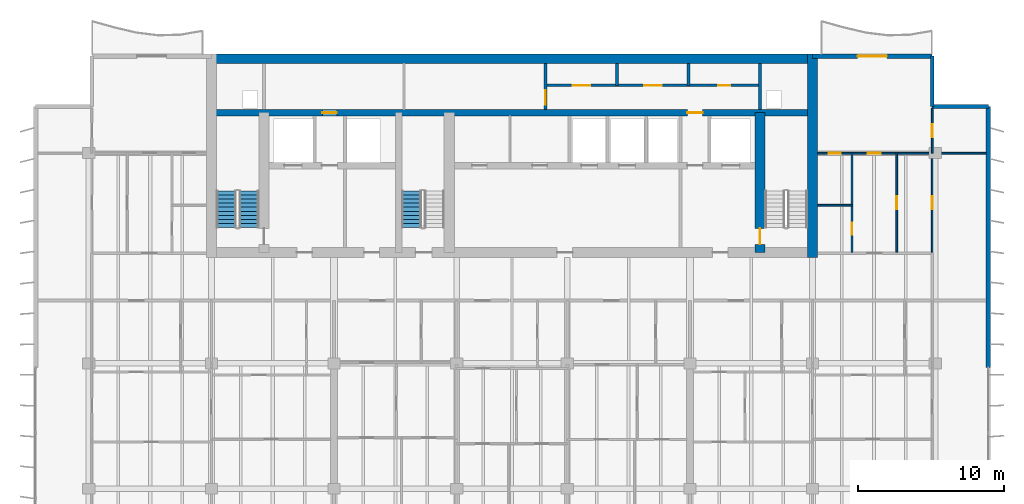
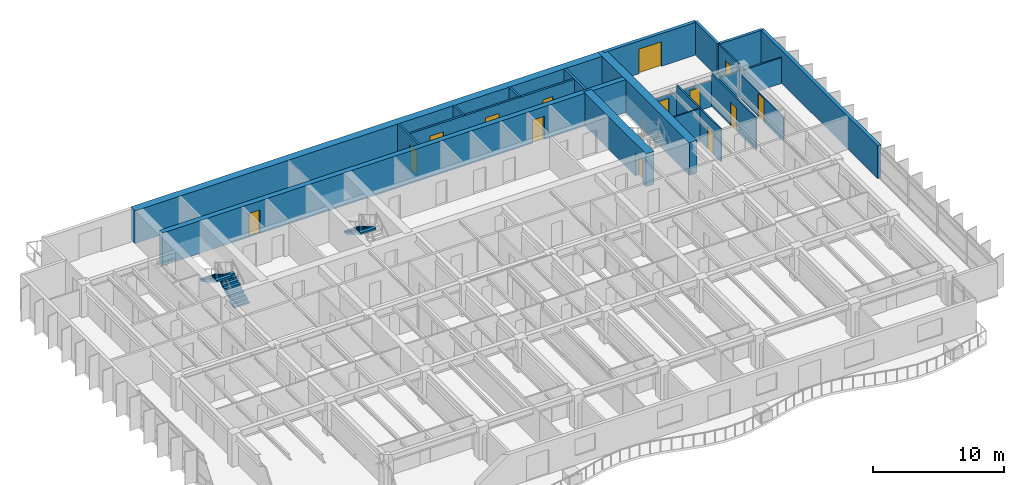
# One storey, part 14 of 19: 19 walls, 14 doors, 3 stair flights, 14 openings, 2 elements without a shape of their own.
"""IFC4 building model written with IfcOpenShell, lengths in metres."""

from ifc_helpers import new_model, si_unit, direction, frame, frame_2d, origin, place, context, subcontext, project, spatial, polyline, rectangle, outline, extrude, material, layer, layer_set, type_object, element, fill, aggregate, save


model = new_model("IFC4")

# Units and contexts
model_context = context("Model", 3, precision=1e-05, world=origin(), true_north=direction((0.0, 1.0)))
body_context = subcontext(model_context, "Body", "Model", "MODEL_VIEW")
ifc_project = project(units=[si_unit("LENGTHUNIT", "METRE"), si_unit("AREAUNIT", "SQUARE_METRE"), si_unit("VOLUMEUNIT", "CUBIC_METRE"), si_unit("PLANEANGLEUNIT", "RADIAN"), si_unit("MASSUNIT", "GRAM", prefix="KILO")], contexts=[model_context])

# Site, building, storey
site_placement = place(None, origin())
site = spatial("IfcSite", under=ifc_project, at=site_placement, CompositionType="ELEMENT")
building_placement = place(site_placement, origin())
building = spatial("IfcBuilding", under=site, at=building_placement, Name="Caelmar Bay Residences", CompositionType="ELEMENT")
storey_placement = place(building_placement, frame((0.0, 0.0, 163.800048828125)))
storey = spatial("IfcBuildingStorey", under=building, at=storey_placement, Name="L45", CompositionType="ELEMENT", Elevation=163.800048828125)

# Wall
ifc_material_1 = material(Name="Concrete f'c 55 MPa (8,000 psi)", Category="concrete")
ifc_layer_1 = layer(ifc_material_1, 0.699951171875)
ifc_layer_set_1 = layer_set([ifc_layer_1], Name="Concrete f'c 55 MPa (8,000 psi)")
wall_type_1 = type_object("IfcWallType", Name="SW-COR-700", PredefinedType="SHEAR", material=ifc_layer_set_1)
wall_1_placement = place(storey_placement, frame((59.5, 36.64990234375, 0.0), z_axis=(0.0, 0.0, 1.0), x_axis=(0.0, 1.0, 0.0)))
element("IfcWall", 1, at=wall_1_placement, inside=storey, type_object=wall_type_1, Name="L45 Rear Core East Shear Wall", PredefinedType="SHEAR", context=body_context, shape_type="SweptSolid", body=[
    extrude(rectangle(XDim=13.9501953125, YDim=0.699951171875, at=frame_2d((6.97509765625, 0.0))), origin(), (0.0, 0.0, 1.0), 3.050048828125),
])

# Wall, opening, door
wall_2_placement = place(storey_placement, frame((55.89990234375, 37.0, 0.0), z_axis=(0.0, 0.0, 1.0), x_axis=(0.0, 1.0, 0.0)))
wall_2 = element("IfcWall", 2, at=wall_2_placement, inside=storey, type_object=wall_type_1, Name="L45 Core Structural Web Wall ST2W", PredefinedType="SHEAR", context=body_context, shape_type="SweptSolid", body=[
    extrude(rectangle(XDim=9.574951171875, YDim=0.699951171875, at=frame_2d((4.78759765625, 0.0))), origin(), (0.0, 0.0, 1.0), 3.050048828125),
])
opening_1_placement = place(wall_2_placement, frame((0.550048828125, 0.0, 0.0)))
opening_1 = element("IfcOpeningElement", 3, at=opening_1_placement, cuts=wall_2, Name="Opening D-L45-110", PredefinedType="OPENING", context=body_context, shape_type="SweptSolid", body=[
    extrude(rectangle(XDim=1.10009765625, YDim=2.14990234375, at=frame_2d((0.550048828125, 1.074951171875))), frame((0.0, 0.35986328125, 0.0), z_axis=(0.0, -1.0, 0.0), x_axis=(1.0, 0.0, 0.0)), (0.0, 0.0, 1.0), 0.719970703125),
])
ifc_material_2 = material(Name="Fire-rated steel and walnut architectural door assembly", Category="steel")
ifc_layer_2 = layer(ifc_material_2, 0.050048828125)
ifc_layer_set_2 = layer_set([ifc_layer_2], Name="Fire-rated steel and walnut architectural door assembly")
door_type_1 = type_object("IfcDoorType", Name="D-STAIR-1100", OperationType="NOTDEFINED", PredefinedType="DOOR", material=ifc_layer_set_2)
door_1_placement = place(opening_1_placement, origin())
door_1 = element("IfcDoor", 4, at=door_1_placement, inside=storey, type_object=door_type_1, Name="L45 Firefighting Lobby East Door", OperationType="SINGLE_SWING_RIGHT", OverallHeight=2.14990234375, OverallWidth=1.10009765625, PredefinedType="DOOR", context=body_context, shape_type="SweptSolid", body=[
    extrude(rectangle(XDim=1.10009765625, YDim=2.14990234375, at=frame_2d((0.550048828125, 1.074951171875))), frame((0.0, 0.02490234375, 0.0), z_axis=(0.0, -1.0, 0.0), x_axis=(1.0, 0.0, 0.0)), (0.0, 0.0, 1.0), 0.050048828125),
])
fill(opening_1, door_1)

# Wall
ifc_layer_3 = layer(ifc_material_1, 0.64990234375)
ifc_layer_set_3 = layer_set([ifc_layer_3], Name="Concrete f'c 55 MPa (8,000 psi)")
wall_type_2 = type_object("IfcWallType", Name="SW-CORN-650", PredefinedType="SHEAR", material=ifc_layer_set_3)
wall_3_placement = place(storey_placement, frame((17.949951171875, 50.27490234375, 0.0), z_axis=(0.0, 0.0, 1.0), x_axis=(1.0, 0.0, 0.0)))
element("IfcWall", 5, at=wall_3_placement, inside=storey, type_object=wall_type_2, Name="L45 Rear Core North Shear Wall", PredefinedType="SHEAR", context=body_context, shape_type="SweptSolid", body=[
    extrude(rectangle(XDim=41.900146484375, YDim=0.64990234375, at=frame_2d((20.9501953125, 0.0))), origin(), (0.0, 0.0, 1.0), 3.050048828125),
])

# Wall, openings, doors
ifc_material_3 = material(Name="Concrete f'c 70 MPa (10,000 psi)", Category="concrete")
ifc_layer_4 = layer(ifc_material_3, 0.449951171875)
ifc_layer_set_4 = layer_set([ifc_layer_4], Name="Concrete f'c 70 MPa (10,000 psi)")
wall_type_3 = type_object("IfcWallType", Name="SW-WEB-450", PredefinedType="SHEAR", material=ifc_layer_set_4)
wall_4_placement = place(storey_placement, frame((18.300048828125, 46.574951171875, 0.0), z_axis=(0.0, 0.0, 1.0), x_axis=(1.0, 0.0, 0.0)))
wall_4 = element("IfcWall", 6, at=wall_4_placement, inside=storey, type_object=wall_type_3, Name="L45 Core Structural Web Wall SRVS", PredefinedType="SHEAR", context=body_context, shape_type="SweptSolid", body=[
    extrude(rectangle(XDim=41.199951171875, YDim=0.449951171875, at=frame_2d((20.60009765625, 0.0))), origin(), (0.0, 0.0, 1.0), 3.050048828125),
])
opening_2_placement = place(wall_4_placement, frame((7.60009765625, 0.0, 0.0)))
opening_2 = element("IfcOpeningElement", 7, at=opening_2_placement, cuts=wall_4, Name="Opening D-L45-116", PredefinedType="OPENING", context=body_context, shape_type="SweptSolid", body=[
    extrude(rectangle(XDim=1.0, YDim=2.199951171875, at=frame_2d((0.5, 1.10009765625))), frame((0.0, 0.23486328125, 0.0), z_axis=(0.0, -1.0, 0.0), x_axis=(1.0, 0.0, 0.0)), (0.0, 0.0, 1.0), 0.469970703125),
])
opening_3_placement = place(wall_4_placement, frame((32.625, 0.0, 0.0)))
opening_3 = element("IfcOpeningElement", 8, at=opening_3_placement, cuts=wall_4, Name="Opening D-L45-117", PredefinedType="OPENING", context=body_context, shape_type="SweptSolid", body=[
    extrude(rectangle(XDim=1.050048828125, YDim=2.14990234375, at=frame_2d((0.52490234375, 1.074951171875))), frame((0.0, 0.23486328125, 0.0), z_axis=(0.0, -1.0, 0.0), x_axis=(1.0, 0.0, 0.0)), (0.0, 0.0, 1.0), 0.469970703125),
])
ifc_layer_5 = layer(ifc_material_2, 0.050048828125)
ifc_layer_set_5 = layer_set([ifc_layer_5], Name="Fire-rated steel and walnut architectural door assembly")
door_type_2 = type_object("IfcDoorType", Name="D-FSAE-1050", OperationType="NOTDEFINED", PredefinedType="DOOR", material=ifc_layer_set_5)
door_2_placement = place(opening_3_placement, origin())
door_2 = element("IfcDoor", 9, at=door_2_placement, inside=storey, type_object=door_type_2, Name="L45 East Core Service Corridor Door", OperationType="SINGLE_SWING_LEFT", OverallHeight=2.14990234375, OverallWidth=1.050048828125, PredefinedType="DOOR", context=body_context, shape_type="SweptSolid", body=[
    extrude(rectangle(XDim=1.050048828125, YDim=2.14990234375, at=frame_2d((0.52490234375, 1.074951171875))), frame((0.0, 0.02490234375, 0.0), z_axis=(0.0, -1.0, 0.0), x_axis=(1.0, 0.0, 0.0)), (0.0, 0.0, 1.0), 0.050048828125),
])
fill(opening_3, door_2)
ifc_layer_6 = layer(ifc_material_2, 0.050048828125)
ifc_layer_set_6 = layer_set([ifc_layer_6], Name="Fire-rated steel and walnut architectural door assembly")
door_type_3 = type_object("IfcDoorType", Name="D-UNIT-1000", OperationType="NOTDEFINED", PredefinedType="DOOR", material=ifc_layer_set_6)
door_3_placement = place(opening_2_placement, origin())
door_3 = element("IfcDoor", 10, at=door_3_placement, inside=storey, type_object=door_type_3, Name="L45 Package Concierge Office Door", OperationType="SINGLE_SWING_RIGHT", OverallHeight=2.199951171875, OverallWidth=1.0, PredefinedType="DOOR", context=body_context, shape_type="SweptSolid", body=[
    extrude(rectangle(XDim=1.0, YDim=2.199951171875, at=frame_2d((0.5, 1.10009765625))), frame((0.0, 0.02490234375, 0.0), z_axis=(0.0, -1.0, 0.0), x_axis=(1.0, 0.0, 0.0)), (0.0, 0.0, 1.0), 0.050048828125),
])
fill(opening_2, door_3)

# Wall, opening, door
ifc_material_4 = material(Name="Double-stud acoustic fire-rated gypsum partition 180 mm")
ifc_layer_7 = layer(ifc_material_4, 0.179931640625)
ifc_layer_set_7 = layer_set([ifc_layer_7], Name="Double-stud acoustic fire-rated gypsum partition 180 mm")
wall_type_4 = type_object("IfcWallType", Name="W-COR-200", PredefinedType="PARTITIONING", material=ifc_layer_set_7)
wall_5_placement = place(storey_placement, frame((41.199951171875, 46.794921875, 0.0), z_axis=(0.0, 0.0, 1.0), x_axis=(0.0, 1.0, 0.0)))
wall_5 = element("IfcWall", 11, at=wall_5_placement, inside=storey, type_object=wall_type_4, Name="L45 Partition Wall V047", PredefinedType="PARTITIONING", context=body_context, shape_type="SweptSolid", body=[
    extrude(rectangle(XDim=3.16015625, YDim=0.179931640625, at=frame_2d((1.580078125, 0.0))), origin(), (0.0, 0.0, 1.0), 3.050048828125),
])
opening_4_placement = place(wall_5_placement, frame((0.327392578125, 0.0, 0.0)))
opening_4 = element("IfcOpeningElement", 12, at=opening_4_placement, cuts=wall_5, Name="Opening D-L45-118", PredefinedType="OPENING", context=body_context, shape_type="SweptSolid", body=[
    extrude(rectangle(XDim=1.0, YDim=2.199951171875, at=frame_2d((0.5, 1.10009765625))), frame((0.0, 0.099853515625, 0.0), z_axis=(0.0, -1.0, 0.0), x_axis=(1.0, 0.0, 0.0)), (0.0, 0.0, 1.0), 0.199951171875),
])
door_4_placement = place(opening_4_placement, origin())
door_4 = element("IfcDoor", 13, at=door_4_placement, inside=storey, type_object=door_type_3, Name="L45 Engineering Control Office Door", OperationType="SINGLE_SWING_RIGHT", OverallHeight=2.199951171875, OverallWidth=1.0, PredefinedType="DOOR", context=body_context, shape_type="SweptSolid", body=[
    extrude(rectangle(XDim=1.0, YDim=2.199951171875, at=frame_2d((0.5, 1.10009765625))), frame((0.0, 0.02490234375, 0.0), z_axis=(0.0, -1.0, 0.0), x_axis=(1.0, 0.0, 0.0)), (0.0, 0.0, 1.0), 0.050048828125),
])
fill(opening_4, door_4)

# Walls
for number, where, z_axis, x_axis, name in (
    (14, (46.10009765625, 48.449951171875, 0.0), (0.0, 0.0, 1.0), (0.0, 1.0, 0.0), "L45 Partition Wall V055"),
    (15, (51.0, 48.449951171875, 0.0), (0.0, 0.0, 1.0), (0.0, 1.0, 0.0), "L45 Partition Wall V064"),
):
    element("IfcWall", number, at=place(storey_placement, frame(where, z_axis=z_axis, x_axis=x_axis)), inside=storey, type_object=wall_type_4, Name=name, PredefinedType="PARTITIONING", context=body_context, shape_type="SweptSolid", body=[
        extrude(rectangle(XDim=1.505126953125, YDim=0.179931640625, at=frame_2d((0.75244140625, 0.0))), origin(), (0.0, 0.0, 1.0), 3.050048828125),
    ])

# Wall, openings, doors
wall_6_placement = place(storey_placement, frame((41.199951171875, 48.449951171875, 0.0), z_axis=(0.0, 0.0, 1.0), x_axis=(1.0, 0.0, 0.0)))
wall_6 = element("IfcWall", 16, at=wall_6_placement, inside=storey, type_object=wall_type_4, Name="L45 Partition Wall H125", PredefinedType="PARTITIONING", context=body_context, shape_type="SweptSolid", body=[
    extrude(rectangle(XDim=14.699951171875, YDim=0.179931640625, at=frame_2d((7.35009765625, 0.0))), origin(), (0.0, 0.0, 1.0), 3.050048828125),
])
opening_5_placement = place(wall_6_placement, frame((1.85009765625, 0.0, 0.0)))
opening_5 = element("IfcOpeningElement", 17, at=opening_5_placement, cuts=wall_6, Name="Opening D-L45-119", PredefinedType="OPENING", context=body_context, shape_type="SweptSolid", body=[
    extrude(rectangle(XDim=1.199951171875, YDim=2.199951171875, at=frame_2d((0.60009765625, 1.10009765625))), frame((0.0, 0.099853515625, 0.0), z_axis=(0.0, -1.0, 0.0), x_axis=(1.0, 0.0, 0.0)), (0.0, 0.0, 1.0), 0.199951171875),
])
opening_6_placement = place(wall_6_placement, frame((6.75, 0.0, 0.0)))
opening_6 = element("IfcOpeningElement", 18, at=opening_6_placement, cuts=wall_6, Name="Opening D-L45-120", PredefinedType="OPENING", context=body_context, shape_type="SweptSolid", body=[
    extrude(rectangle(XDim=1.199951171875, YDim=2.199951171875, at=frame_2d((0.60009765625, 1.10009765625))), frame((0.0, 0.099853515625, 0.0), z_axis=(0.0, -1.0, 0.0), x_axis=(1.0, 0.0, 0.0)), (0.0, 0.0, 1.0), 0.199951171875),
])
opening_7_placement = place(wall_6_placement, frame((11.824951171875, 0.0, 0.0)))
opening_7 = element("IfcOpeningElement", 19, at=opening_7_placement, cuts=wall_6, Name="Opening D-L45-121", PredefinedType="OPENING", context=body_context, shape_type="SweptSolid", body=[
    extrude(rectangle(XDim=0.85009765625, YDim=2.10009765625, at=frame_2d((0.425048828125, 1.050048828125))), frame((0.0, 0.099853515625, 0.0), z_axis=(0.0, -1.0, 0.0), x_axis=(1.0, 0.0, 0.0)), (0.0, 0.0, 1.0), 0.199951171875),
])
ifc_layer_8 = layer(ifc_material_2, 0.050048828125)
ifc_layer_set_8 = layer_set([ifc_layer_8], Name="Fire-rated steel and walnut architectural door assembly")
door_type_4 = type_object("IfcDoorType", Name="D-CORE-850", OperationType="NOTDEFINED", PredefinedType="DOOR", material=ifc_layer_set_8)
door_5_placement = place(opening_7_placement, origin())
door_5 = element("IfcDoor", 20, at=door_5_placement, inside=storey, type_object=door_type_4, Name="L45 Accessible Staff WC Door", OperationType="SINGLE_SWING_LEFT", OverallHeight=2.10009765625, OverallWidth=0.85009765625, PredefinedType="DOOR", context=body_context, shape_type="SweptSolid", body=[
    extrude(rectangle(XDim=0.85009765625, YDim=2.10009765625, at=frame_2d((0.425048828125, 1.050048828125))), frame((0.0, 0.02490234375, 0.0), z_axis=(0.0, -1.0, 0.0), x_axis=(1.0, 0.0, 0.0)), (0.0, 0.0, 1.0), 0.050048828125),
])
fill(opening_7, door_5)
ifc_layer_9 = layer(ifc_material_2, 0.050048828125)
ifc_layer_set_9 = layer_set([ifc_layer_9], Name="Fire-rated steel and walnut architectural door assembly")
door_type_5 = type_object("IfcDoorType", Name="D-PLANT-1200", OperationType="NOTDEFINED", PredefinedType="DOOR", material=ifc_layer_set_9)
door_6_placement = place(opening_5_placement, origin())
door_6 = element("IfcDoor", 21, at=door_6_placement, inside=storey, type_object=door_type_5, Name="L45 Electrical Closet Door", OperationType="SINGLE_SWING_LEFT", OverallHeight=2.199951171875, OverallWidth=1.199951171875, PredefinedType="DOOR", context=body_context, shape_type="SweptSolid", body=[
    extrude(rectangle(XDim=1.199951171875, YDim=2.199951171875, at=frame_2d((0.60009765625, 1.10009765625))), frame((0.0, 0.02490234375, 0.0), z_axis=(0.0, -1.0, 0.0), x_axis=(1.0, 0.0, 0.0)), (0.0, 0.0, 1.0), 0.050048828125),
])
fill(opening_5, door_6)
door_7_placement = place(opening_6_placement, origin())
door_7 = element("IfcDoor", 22, at=door_7_placement, inside=storey, type_object=door_type_5, Name="L45 Housekeeping Linen Closet Door", OperationType="SINGLE_SWING_RIGHT", OverallHeight=2.199951171875, OverallWidth=1.199951171875, PredefinedType="DOOR", context=body_context, shape_type="SweptSolid", body=[
    extrude(rectangle(XDim=1.199951171875, YDim=2.199951171875, at=frame_2d((0.60009765625, 1.10009765625))), frame((0.0, 0.02490234375, 0.0), z_axis=(0.0, -1.0, 0.0), x_axis=(1.0, 0.0, 0.0)), (0.0, 0.0, 1.0), 0.050048828125),
])
fill(opening_6, door_7)

# Walls
ifc_material_5 = material(Name="Precast concrete f'c 40 MPa (6,000 psi)", Category="concrete")
ifc_layer_10 = layer(ifc_material_5, 0.25)
ifc_layer_set_10 = layer_set([ifc_layer_10], Name="Precast concrete f'c 40 MPa (6,000 psi)")
wall_type_5 = type_object("IfcWallType", Name="W-EXT-250", PredefinedType="ELEMENTEDWALL", material=ifc_layer_set_10)
wall_7_placement = place(storey_placement, frame((67.699951171875, 50.449951171875, 0.0), z_axis=(0.0, 0.0, 1.0), x_axis=(0.0, -1.0, 0.0)))
element("IfcWall", 23, at=wall_7_placement, inside=storey, type_object=wall_type_5, Name="L45 NNE-V Notch Wall", PredefinedType="ELEMENTEDWALL", context=body_context, shape_type="SweptSolid", body=[
    extrude(rectangle(XDim=3.449951171875, YDim=0.25, at=frame_2d((1.72509765625, 0.0))), origin(), (0.0, 0.0, 1.0), 3.050048828125),
])
wall_8_placement = place(storey_placement, frame((67.699951171875, 47.0, 0.0), z_axis=(0.0, 0.0, 1.0), x_axis=(1.0, 0.0, 0.0)))
element("IfcWall", 24, at=wall_8_placement, inside=storey, type_object=wall_type_5, Name="L45 NNE-H Notch Wall", PredefinedType="ELEMENTEDWALL", context=body_context, shape_type="SweptSolid", body=[
    extrude(rectangle(XDim=3.85009765625, YDim=0.25, at=frame_2d((1.925048828125, 0.0))), origin(), (0.0, 0.0, 1.0), 3.050048828125),
])
ifc_layer_11 = layer(ifc_material_5, 0.300048828125)
ifc_layer_set_11 = layer_set([ifc_layer_11], Name="Precast concrete f'c 40 MPa (6,000 psi)")
wall_type_6 = type_object("IfcWallType", Name="W-EXT-300", PredefinedType="STANDARD", material=ifc_layer_set_11)
wall_9_placement = place(storey_placement, frame((71.550048828125, 47.0, 0.0), z_axis=(0.0, 0.0, 1.0), x_axis=(0.0, -1.0, 0.0)))
element("IfcWall", 25, at=wall_9_placement, inside=storey, type_object=wall_type_6, Name="L45 East Rear Exterior Wall", PredefinedType="STANDARD", context=body_context, shape_type="SweptSolid", body=[
    extrude(rectangle(XDim=17.89990234375, YDim=0.300048828125, at=frame_2d((8.949951171875, 0.0))), origin(), (0.0, 0.0, 1.0), 3.050048828125),
])

# Wall, opening, door
wall_10_placement = place(storey_placement, frame((59.5, 50.449951171875, 0.0), z_axis=(0.0, 0.0, 1.0), x_axis=(1.0, 0.0, 0.0)))
wall_10 = element("IfcWall", 26, at=wall_10_placement, inside=storey, type_object=wall_type_6, Name="L45 North-East Wing Exterior Wall", PredefinedType="STANDARD", context=body_context, shape_type="SweptSolid", body=[
    extrude(rectangle(XDim=8.199951171875, YDim=0.300048828125, at=frame_2d((4.10009765625, 0.0))), origin(), (0.0, 0.0, 1.0), 3.050048828125),
])
opening_8_placement = place(wall_10_placement, frame((3.10009765625, 0.0, 0.0)))
opening_8 = element("IfcOpeningElement", 27, at=opening_8_placement, cuts=wall_10, Name="Opening L45-BDNE", PredefinedType="OPENING", context=body_context, shape_type="SweptSolid", body=[
    extrude(rectangle(XDim=2.0, YDim=2.300048828125, at=frame_2d((1.0, 1.14990234375))), frame((0.0, 0.159912109375, 0.0), z_axis=(0.0, -1.0, 0.0), x_axis=(1.0, 0.0, 0.0)), (0.0, 0.0, 1.0), 0.320068359375),
])
ifc_material_6 = material(Name="Anodised bronze thermally broken sliding glass door", Category="glass")
ifc_layer_12 = layer(ifc_material_6, 0.050048828125)
ifc_layer_set_12 = layer_set([ifc_layer_12], Name="Anodised bronze thermally broken sliding glass door")
door_type_6 = type_object("IfcDoorType", Name="D-BAL-2000", OperationType="DOUBLE_DOOR_SLIDING", PredefinedType="DOOR", material=ifc_layer_set_12)
door_8_placement = place(opening_8_placement, origin())
door_8 = element("IfcDoor", 28, at=door_8_placement, inside=storey, type_object=door_type_6, Name="L45 North-East Balcony Door", OperationType="DOUBLE_DOOR_SLIDING", OverallHeight=2.300048828125, OverallWidth=2.0, PredefinedType="DOOR", context=body_context, shape_type="SweptSolid", body=[
    extrude(rectangle(XDim=2.0, YDim=2.300048828125, at=frame_2d((1.0, 1.14990234375))), frame((0.0, 0.02490234375, 0.0), z_axis=(0.0, -1.0, 0.0), x_axis=(1.0, 0.0, 0.0)), (0.0, 0.0, 1.0), 0.050048828125),
])
fill(opening_8, door_8)

# Wall
ifc_material_7 = material(Name="Fire-rated masonry and gypsum shaftliner assembly 200 mm", Category="masonry")
ifc_layer_13 = layer(ifc_material_7, 0.199951171875)
ifc_layer_set_13 = layer_set([ifc_layer_13], Name="Fire-rated masonry and gypsum shaftliner assembly 200 mm")
wall_type_7 = type_object("IfcWallType", Name="W-FSAE-200", PredefinedType="PARTITIONING", material=ifc_layer_set_13)
wall_11_placement = place(storey_placement, frame((55.89990234375, 46.794921875, 0.0), z_axis=(0.0, 0.0, 1.0), x_axis=(0.0, 1.0, 0.0)))
element("IfcWall", 29, at=wall_11_placement, inside=storey, type_object=wall_type_7, Name="L45 Partition Wall V071", PredefinedType="PARTITIONING", context=body_context, shape_type="SweptSolid", body=[
    extrude(rectangle(XDim=3.16015625, YDim=0.199951171875, at=frame_2d((1.580078125, 0.0))), origin(), (0.0, 0.0, 1.0), 3.050048828125),
])

# Wall, opening, door
ifc_material_8 = material(Name="Anodised bronze framed acoustic sliding study partition 100 mm")
ifc_layer_14 = layer(ifc_material_8, 0.10009765625)
ifc_layer_set_14 = layer_set([ifc_layer_14], Name="Anodised bronze framed acoustic sliding study partition 100 mm")
wall_type_8 = type_object("IfcWallType", Name="W-MOV-100", PredefinedType="MOVABLE", material=ifc_layer_set_14)
wall_12_placement = place(storey_placement, frame((67.699951171875, 37.0, 0.0), z_axis=(0.0, 0.0, 1.0), x_axis=(0.0, 1.0, 0.0)))
wall_12 = element("IfcWall", 30, at=wall_12_placement, inside=storey, type_object=wall_type_8, Name="L45 Partition Wall V090", PredefinedType="MOVABLE", context=body_context, shape_type="SweptSolid", body=[
    extrude(rectangle(XDim=6.800048828125, YDim=0.10009765625, at=frame_2d((3.39990234375, 0.0))), origin(), (0.0, 0.0, 1.0), 2.262939453125),
])
opening_9_placement = place(wall_12_placement, frame((2.949951171875, 0.0, 0.0)))
opening_9 = element("IfcOpeningElement", 31, at=opening_9_placement, cuts=wall_12, Name="Opening D-L45-176", PredefinedType="OPENING", context=body_context, shape_type="SweptSolid", body=[
    extrude(rectangle(XDim=0.89990234375, YDim=2.14990234375, at=frame_2d((0.449951171875, 1.074951171875))), frame((0.0, 0.06005859375, 0.0), z_axis=(0.0, -1.0, 0.0), x_axis=(1.0, 0.0, 0.0)), (0.0, 0.0, 1.0), 0.1201171875),
])
ifc_material_9 = material(Name="Solid walnut timber interior door leaf and frame", Category="wood")
ifc_layer_15 = layer(ifc_material_9, 0.050048828125)
ifc_layer_set_15 = layer_set([ifc_layer_15], Name="Solid walnut timber interior door leaf and frame")
door_type_7 = type_object("IfcDoorType", Name="D-ROOM-900", OperationType="NOTDEFINED", PredefinedType="DOOR", material=ifc_layer_set_15)
door_9_placement = place(opening_9_placement, origin())
door_9 = element("IfcDoor", 32, at=door_9_placement, inside=storey, type_object=door_type_7, Name="L45 Residence EA Sun Study Door", OperationType="SINGLE_SWING_RIGHT", OverallHeight=2.14990234375, OverallWidth=0.89990234375, PredefinedType="DOOR", context=body_context, shape_type="SweptSolid", body=[
    extrude(rectangle(XDim=0.89990234375, YDim=2.14990234375, at=frame_2d((0.449951171875, 1.074951171875))), frame((0.0, 0.02490234375, 0.0), z_axis=(0.0, -1.0, 0.0), x_axis=(1.0, 0.0, 0.0)), (0.0, 0.0, 1.0), 0.050048828125),
])
fill(opening_9, door_9)

ifc_material_10 = material(Name="Acoustic metal-stud gypsum partition 120 mm")
ifc_layer_16 = layer(ifc_material_10, 0.1201171875)
ifc_layer_set_16 = layer_set([ifc_layer_16], Name="Acoustic metal-stud gypsum partition 120 mm")
wall_type_9 = type_object("IfcWallType", Name="W-PRT-120", PredefinedType="PARTITIONING", material=ifc_layer_set_16)
wall_13_placement = place(storey_placement, frame((62.199951171875, 37.0, 0.0), z_axis=(0.0, 0.0, 1.0), x_axis=(0.0, 1.0, 0.0)))
wall_13 = element("IfcWall", 33, at=wall_13_placement, inside=storey, type_object=wall_type_9, Name="L45 Partition Wall V080", PredefinedType="PARTITIONING", context=body_context, shape_type="SweptSolid", body=[
    extrude(rectangle(XDim=6.800048828125, YDim=0.1201171875, at=frame_2d((3.39990234375, 0.0))), origin(), (0.0, 0.0, 1.0), 3.050048828125),
])
opening_10_placement = place(wall_13_placement, frame((1.194091796875, 0.0, 0.0)))
opening_10 = element("IfcOpeningElement", 34, at=opening_10_placement, cuts=wall_13, Name="Opening D-L45-174", PredefinedType="OPENING", context=body_context, shape_type="SweptSolid", body=[
    extrude(rectangle(XDim=0.85009765625, YDim=2.10009765625, at=frame_2d((0.425048828125, 1.050048828125))), frame((0.0, 0.070068359375, 0.0), z_axis=(0.0, -1.0, 0.0), x_axis=(1.0, 0.0, 0.0)), (0.0, 0.0, 1.0), 0.14013671875),
])
ifc_layer_17 = layer(ifc_material_9, 0.050048828125)
ifc_layer_set_17 = layer_set([ifc_layer_17], Name="Solid walnut timber interior door leaf and frame")
door_type_8 = type_object("IfcDoorType", Name="D-BATH-850", OperationType="NOTDEFINED", PredefinedType="DOOR", material=ifc_layer_set_17)
door_10_placement = place(opening_10_placement, origin())
door_10 = element("IfcDoor", 35, at=door_10_placement, inside=storey, type_object=door_type_8, Name="L45 Residence EA Walk-In Closet Door", OperationType="SINGLE_SWING_RIGHT", OverallHeight=2.10009765625, OverallWidth=0.85009765625, PredefinedType="DOOR", context=body_context, shape_type="SweptSolid", body=[
    extrude(rectangle(XDim=0.85009765625, YDim=2.10009765625, at=frame_2d((0.425048828125, 1.050048828125))), frame((0.0, 0.02490234375, 0.0), z_axis=(0.0, -1.0, 0.0), x_axis=(1.0, 0.0, 0.0)), (0.0, 0.0, 1.0), 0.050048828125),
])
fill(opening_10, door_10)

wall_14_placement = place(storey_placement, frame((65.280029296875, 37.0, 0.0), z_axis=(0.0, 0.0, 1.0), x_axis=(0.0, 1.0, 0.0)))
wall_14 = element("IfcWall", 36, at=wall_14_placement, inside=storey, type_object=wall_type_9, Name="L45 Partition Wall V081", PredefinedType="PARTITIONING", context=body_context, shape_type="SweptSolid", body=[
    extrude(rectangle(XDim=6.800048828125, YDim=0.1201171875, at=frame_2d((3.39990234375, 0.0))), origin(), (0.0, 0.0, 1.0), 3.050048828125),
])
opening_11_placement = place(wall_14_placement, frame((2.949951171875, 0.0, 0.0)))
opening_11 = element("IfcOpeningElement", 37, at=opening_11_placement, cuts=wall_14, Name="Opening D-L45-171", PredefinedType="OPENING", context=body_context, shape_type="SweptSolid", body=[
    extrude(rectangle(XDim=0.89990234375, YDim=2.14990234375, at=frame_2d((0.449951171875, 1.074951171875))), frame((0.0, 0.070068359375, 0.0), z_axis=(0.0, -1.0, 0.0), x_axis=(1.0, 0.0, 0.0)), (0.0, 0.0, 1.0), 0.14013671875),
])
door_11_placement = place(opening_11_placement, origin())
door_11 = element("IfcDoor", 38, at=door_11_placement, inside=storey, type_object=door_type_7, Name="L45 Residence EA Dining Room Door", OperationType="SINGLE_SWING_LEFT", OverallHeight=2.14990234375, OverallWidth=0.89990234375, PredefinedType="DOOR", context=body_context, shape_type="SweptSolid", body=[
    extrude(rectangle(XDim=0.89990234375, YDim=2.14990234375, at=frame_2d((0.449951171875, 1.074951171875))), frame((0.0, 0.02490234375, 0.0), z_axis=(0.0, -1.0, 0.0), x_axis=(1.0, 0.0, 0.0)), (0.0, 0.0, 1.0), 0.050048828125),
])
fill(opening_11, door_11)

wall_15_placement = place(storey_placement, frame((67.699951171875, 43.804931640625, 0.0), z_axis=(0.0, 0.0, 1.0), x_axis=(0.0, 1.0, 0.0)))
wall_15 = element("IfcWall", 39, at=wall_15_placement, inside=storey, type_object=wall_type_9, Name="L45 Partition Wall V091", PredefinedType="PARTITIONING", context=body_context, shape_type="SweptSolid", body=[
    extrude(rectangle(XDim=3.074951171875, YDim=0.1201171875, at=frame_2d((1.53759765625, 0.0))), origin(), (0.0, 0.0, 1.0), 3.050048828125),
])
opening_12_placement = place(wall_15_placement, frame((1.08740234375, 0.0, 0.0)))
opening_12 = element("IfcOpeningElement", 40, at=opening_12_placement, cuts=wall_15, Name="Opening D-L45-177", PredefinedType="OPENING", context=body_context, shape_type="SweptSolid", body=[
    extrude(rectangle(XDim=0.89990234375, YDim=2.14990234375, at=frame_2d((0.449951171875, 1.074951171875))), frame((0.0, 0.070068359375, 0.0), z_axis=(0.0, -1.0, 0.0), x_axis=(1.0, 0.0, 0.0)), (0.0, 0.0, 1.0), 0.14013671875),
])
door_12_placement = place(opening_12_placement, origin())
door_12 = element("IfcDoor", 41, at=door_12_placement, inside=storey, type_object=door_type_7, Name="L45 Residence EA North Sitting Alcove Door", OperationType="SINGLE_SWING_LEFT", OverallHeight=2.14990234375, OverallWidth=0.89990234375, PredefinedType="DOOR", context=body_context, shape_type="SweptSolid", body=[
    extrude(rectangle(XDim=0.89990234375, YDim=2.14990234375, at=frame_2d((0.449951171875, 1.074951171875))), frame((0.0, 0.02490234375, 0.0), z_axis=(0.0, -1.0, 0.0), x_axis=(1.0, 0.0, 0.0)), (0.0, 0.0, 1.0), 0.050048828125),
])
fill(opening_12, door_12)

# Wall
wall_16_placement = place(storey_placement, frame((59.844970703125, 40.238037109375, 0.0), z_axis=(0.0, 0.0, 1.0), x_axis=(1.0, 0.0, 0.0)))
element("IfcWall", 42, at=wall_16_placement, inside=storey, type_object=wall_type_9, Name="L45 Partition Wall H122", PredefinedType="PARTITIONING", context=body_context, shape_type="SweptSolid", body=[
    extrude(rectangle(XDim=2.35498046875, YDim=0.1201171875, at=frame_2d((1.177490234375, 0.0))), origin(), (0.0, 0.0, 1.0), 3.050048828125),
])

# Wall, openings, doors
wall_17_placement = place(storey_placement, frame((59.844970703125, 43.800048828125, 0.0), z_axis=(0.0, 0.0, 1.0), x_axis=(1.0, 0.0, 0.0)))
wall_17 = element("IfcWall", 43, at=wall_17_placement, inside=storey, type_object=wall_type_9, Name="L45 Partition Wall H124", PredefinedType="PARTITIONING", context=body_context, shape_type="SweptSolid", body=[
    extrude(rectangle(XDim=11.56005859375, YDim=0.1201171875, at=frame_2d((5.780029296875, 0.0))), origin(), (0.0, 0.0, 1.0), 2.41796875),
])
opening_13_placement = place(wall_17_placement, frame((3.445068359375, 0.0, 0.0)))
opening_13 = element("IfcOpeningElement", 44, at=opening_13_placement, cuts=wall_17, Name="Opening D-L45-173", PredefinedType="OPENING", context=body_context, shape_type="SweptSolid", body=[
    extrude(rectangle(XDim=0.89990234375, YDim=2.14990234375, at=frame_2d((0.449951171875, 1.074951171875))), frame((0.0, 0.070068359375, 0.0), z_axis=(0.0, -1.0, 0.0), x_axis=(1.0, 0.0, 0.0)), (0.0, 0.0, 1.0), 0.14013671875),
])
opening_14_placement = place(wall_17_placement, frame((0.75244140625, 0.0, 0.0)))
opening_14 = element("IfcOpeningElement", 45, at=opening_14_placement, cuts=wall_17, Name="Opening D-L45-175", PredefinedType="OPENING", context=body_context, shape_type="SweptSolid", body=[
    extrude(rectangle(XDim=0.85009765625, YDim=2.10009765625, at=frame_2d((0.425048828125, 1.050048828125))), frame((0.0, 0.070068359375, 0.0), z_axis=(0.0, -1.0, 0.0), x_axis=(1.0, 0.0, 0.0)), (0.0, 0.0, 1.0), 0.14013671875),
])
door_13_placement = place(opening_14_placement, origin())
door_13 = element("IfcDoor", 46, at=door_13_placement, inside=storey, type_object=door_type_8, Name="L45 Residence EA Bathroom Door", OperationType="SINGLE_SWING_LEFT", OverallHeight=2.10009765625, OverallWidth=0.85009765625, PredefinedType="DOOR", context=body_context, shape_type="SweptSolid", body=[
    extrude(rectangle(XDim=0.85009765625, YDim=2.10009765625, at=frame_2d((0.425048828125, 1.050048828125))), frame((0.0, 0.02490234375, 0.0), z_axis=(0.0, -1.0, 0.0), x_axis=(1.0, 0.0, 0.0)), (0.0, 0.0, 1.0), 0.050048828125),
])
fill(opening_14, door_13)
door_14_placement = place(opening_13_placement, origin())
door_14 = element("IfcDoor", 47, at=door_14_placement, inside=storey, type_object=door_type_7, Name="L45 Residence EA Studio Living and Sleeping Room Door", OperationType="SINGLE_SWING_LEFT", OverallHeight=2.14990234375, OverallWidth=0.89990234375, PredefinedType="DOOR", context=body_context, shape_type="SweptSolid", body=[
    extrude(rectangle(XDim=0.89990234375, YDim=2.14990234375, at=frame_2d((0.449951171875, 1.074951171875))), frame((0.0, 0.02490234375, 0.0), z_axis=(0.0, -1.0, 0.0), x_axis=(1.0, 0.0, 0.0)), (0.0, 0.0, 1.0), 0.050048828125),
])
fill(opening_13, door_14)

# Stair, stair flights
ifc_material_11 = material(Name="Concrete f'c 40 MPa (6,000 psi)", Category="concrete")
stair_type = type_object("IfcStairType", Name="ST-TYP-165", PredefinedType="HALF_TURN_STAIR", material=ifc_material_11)
stair_1_placement = place(storey_placement, origin())
stair_1 = element("IfcStair", 48, at=stair_1_placement, inside=storey, type_object=stair_type, Name="L45 West Smokeproof Exit Stair ST1", PredefinedType="HALF_TURN_STAIR")
stair_flight_type = type_object("IfcStairFlightType", Name="STF-1350", PredefinedType="STRAIGHT", material=ifc_material_11)
stair_flight_1_placement = place(storey_placement, frame((20.875, 38.699951171875, 0.0), z_axis=(0.0, 0.0, 1.0), x_axis=(0.0, 1.0, 0.0)))
stair_flight_1 = element("IfcStairFlight", 49, at=stair_flight_1_placement, type_object=stair_flight_type, Name="ST1 flight 1", NumberOfRisers=10, NumberOfTreads=9, PredefinedType="STRAIGHT", RiserHeight=0.165, TreadLength=0.28, context=body_context, shape_type="SweptSolid", body=[
    extrude(outline(polyline([(0.0, 0.0), (0.0, 0.1650390625), (0.280029296875, 0.1650390625), (0.280029296875, 0.330078125), (0.56005859375, 0.330078125), (0.56005859375, 0.4951171875), (0.840087890625, 0.4951171875), (0.840087890625, 0.659912109375), (1.1201171875, 0.659912109375), (1.1201171875, 0.824951171875), (1.39990234375, 0.824951171875), (1.39990234375, 0.989990234375), (1.679931640625, 0.989990234375), (1.679931640625, 1.155029296875), (1.9599609375, 1.155029296875), (1.9599609375, 1.320068359375), (2.239990234375, 1.320068359375), (2.239990234375, 1.485107421875), (2.52001953125, 1.485107421875), (2.52001953125, 1.64990234375), (2.52001953125, 1.31103515625), (0.295166015625, 0.0), (0.0, 0.0)])), frame((0.0, 0.675048828125, 0.0), z_axis=(0.0, -1.0, 0.0), x_axis=(1.0, 0.0, 0.0)), (0.0, 0.0, 1.0), 1.35009765625),
])
stair_flight_2_placement = place(storey_placement, frame((19.324951171875, 41.219970703125, 1.64990234375), z_axis=(0.0, 0.0, 1.0), x_axis=(0.0, -1.0, 0.0)))
stair_flight_2 = element("IfcStairFlight", 50, at=stair_flight_2_placement, type_object=stair_flight_type, Name="ST1 flight 2", NumberOfRisers=10, NumberOfTreads=9, PredefinedType="STRAIGHT", RiserHeight=0.165, TreadLength=0.28, context=body_context, shape_type="SweptSolid", body=[
    extrude(outline(polyline([(0.0, 0.0), (0.0, 0.1650390625), (0.280029296875, 0.1650390625), (0.280029296875, 0.330078125), (0.56005859375, 0.330078125), (0.56005859375, 0.4951171875), (0.840087890625, 0.4951171875), (0.840087890625, 0.659912109375), (1.1201171875, 0.659912109375), (1.1201171875, 0.824951171875), (1.39990234375, 0.824951171875), (1.39990234375, 0.989990234375), (1.679931640625, 0.989990234375), (1.679931640625, 1.155029296875), (1.9599609375, 1.155029296875), (1.9599609375, 1.320068359375), (2.239990234375, 1.320068359375), (2.239990234375, 1.485107421875), (2.52001953125, 1.485107421875), (2.52001953125, 1.64990234375), (2.52001953125, 1.31103515625), (0.295166015625, 0.0), (0.0, 0.0)])), frame((0.0, 0.675048828125, 0.0), z_axis=(0.0, -1.0, 0.0), x_axis=(1.0, 0.0, 0.0)), (0.0, 0.0, 1.0), 1.35009765625),
])
aggregate(stair_1, [stair_flight_1, stair_flight_2])

# Stair, stair flight
stair_2_placement = place(storey_placement, origin())
stair_2 = element("IfcStair", 51, at=stair_2_placement, inside=storey, type_object=stair_type, Name="L45 Central Smokeproof Exit Stair ST3", PredefinedType="HALF_TURN_STAIR")
stair_flight_3_placement = place(storey_placement, frame((32.02490234375, 41.219970703125, 1.64990234375), z_axis=(0.0, 0.0, 1.0), x_axis=(0.0, -1.0, 0.0)))
stair_flight_3 = element("IfcStairFlight", 52, at=stair_flight_3_placement, type_object=stair_flight_type, Name="ST3 flight 2", NumberOfRisers=10, NumberOfTreads=9, PredefinedType="STRAIGHT", RiserHeight=0.165, TreadLength=0.28, context=body_context, shape_type="SweptSolid", body=[
    extrude(outline(polyline([(0.0, 0.0), (0.0, 0.1650390625), (0.280029296875, 0.1650390625), (0.280029296875, 0.330078125), (0.56005859375, 0.330078125), (0.56005859375, 0.4951171875), (0.840087890625, 0.4951171875), (0.840087890625, 0.659912109375), (1.1201171875, 0.659912109375), (1.1201171875, 0.824951171875), (1.39990234375, 0.824951171875), (1.39990234375, 0.989990234375), (1.679931640625, 0.989990234375), (1.679931640625, 1.155029296875), (1.9599609375, 1.155029296875), (1.9599609375, 1.320068359375), (2.239990234375, 1.320068359375), (2.239990234375, 1.485107421875), (2.52001953125, 1.485107421875), (2.52001953125, 1.64990234375), (2.52001953125, 1.31103515625), (0.295166015625, 0.0), (0.0, 0.0)])), frame((0.0, 0.675048828125, 0.0), z_axis=(0.0, -1.0, 0.0), x_axis=(1.0, 0.0, 0.0)), (0.0, 0.0, 1.0), 1.35009765625),
])
aggregate(stair_2, [stair_flight_3])

save(model, "model.ifc")
